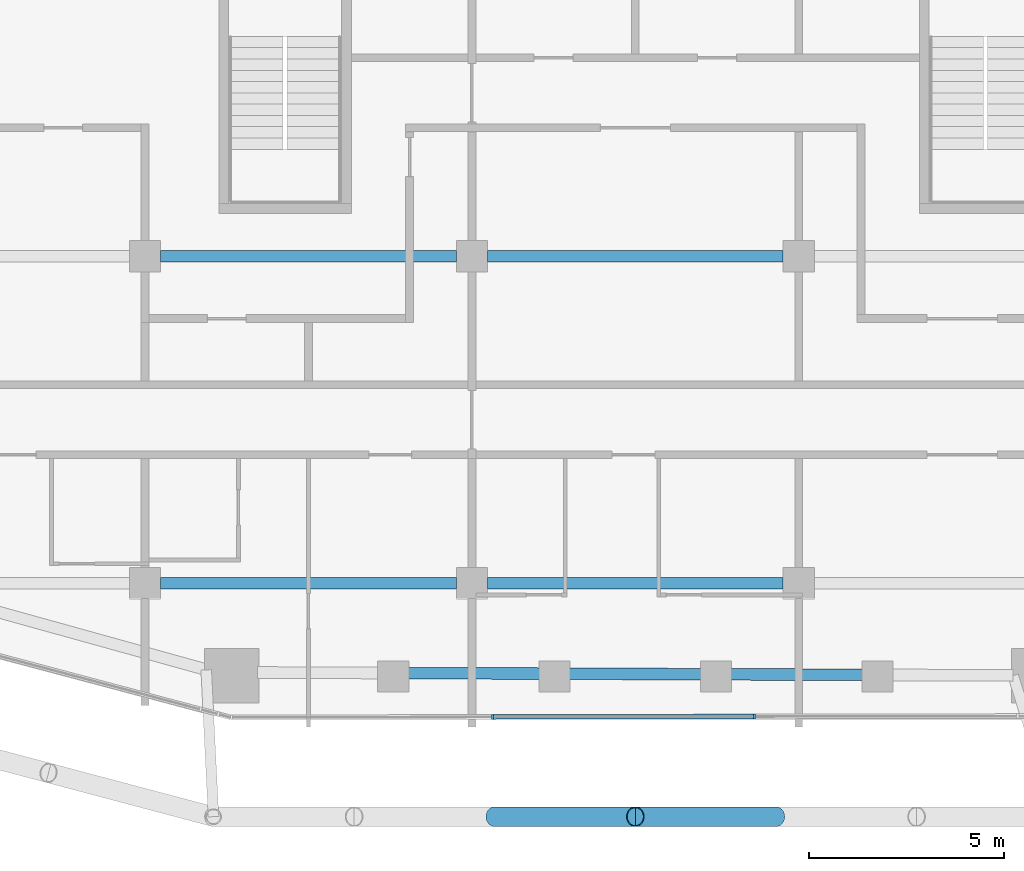
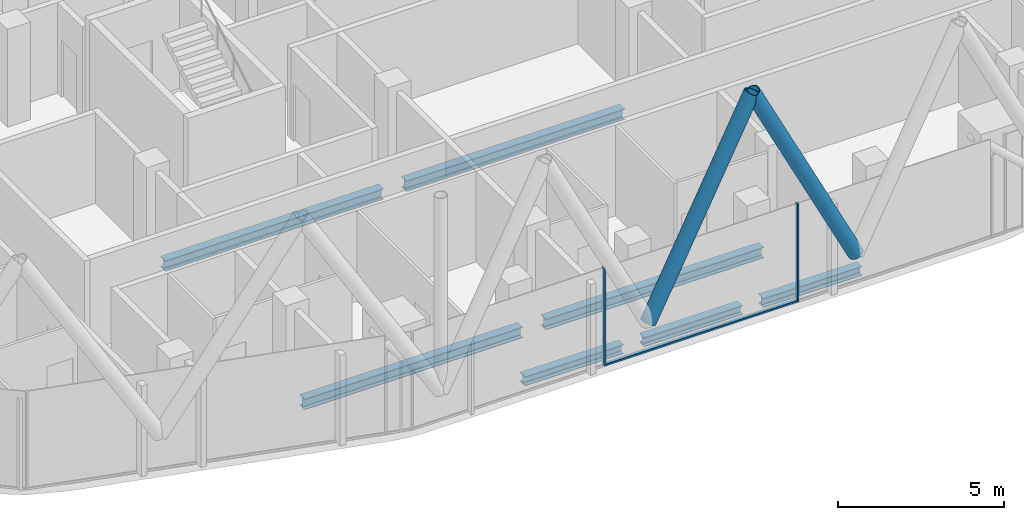
# One storey, part 3 of 28: 7 beams, 5 members, 1 element without a shape of its own.
"""IFC4 building model written with IfcOpenShell, lengths in metres."""

from ifc_helpers import new_model, si_unit, direction, frame, origin, origin_2d, place, context, subcontext, project, spatial, rectangle, hollow_circle, i_section, extrude, material, layer, layer_set, material_profile, profile_set, type_object, element, aggregate, save


model = new_model("IFC4")

# Units and contexts
model_context = context("Model", 3, precision=1e-05, world=origin(), true_north=direction((0.0, 1.0)))
body_context = subcontext(model_context, "Body", "Model", "MODEL_VIEW")
ifc_project = project(units=[si_unit("LENGTHUNIT", "METRE"), si_unit("AREAUNIT", "SQUARE_METRE"), si_unit("VOLUMEUNIT", "CUBIC_METRE"), si_unit("PLANEANGLEUNIT", "RADIAN"), si_unit("MASSUNIT", "GRAM", prefix="KILO")], contexts=[model_context])

# Site, building, storey
site_placement = place(None, origin())
site = spatial("IfcSite", under=ifc_project, at=site_placement, CompositionType="ELEMENT")
building_placement = place(site_placement, origin())
building = spatial("IfcBuilding", under=site, at=building_placement, Name="Marenta Gate Hotel Tower", CompositionType="ELEMENT")
storey_placement = place(building_placement, frame((0.0, 0.0, 241.699951171875)))
storey = spatial("IfcBuildingStorey", under=building, at=storey_placement, Name="L57", CompositionType="ELEMENT", Elevation=241.699951171875)

# Members
ifc_material_1 = material(Name="Steel S355J2W", Category="steel")
ifc_material_profile_1 = material_profile(ifc_material_1, hollow_circle(Radius=0.25390625, WallThickness=0.02490234375, at=origin_2d()), Name="CHS 508x25")
ifc_profile_set_1 = profile_set([ifc_material_profile_1], Name="Steel S355J2W")
member_type_1 = type_object("IfcMemberType", Name="Diagrid diagonal Z3 CHS 508x25", PredefinedType="BRACE", material=ifc_profile_set_1)
for number, where, z_axis, x_axis, name in (
    (1, (3.613037109375, -31.199951171875, 3.14013671875), (-0.44851025603, 0.0, 0.893777685018), (0.0, -1.0, 0.0), "L57-DG-17"),
    (2, (-3.613037109375, -31.199951171875, 3.14013671875), (0.44851025603, 0.0, 0.893777685018), (0.0, 1.0, 0.0), "L57-DG-18"),
):
    element("IfcMember", number, at=place(storey_placement, frame(where, z_axis=z_axis, x_axis=x_axis)), inside=storey, type_object=member_type_1, Name=name, PredefinedType="BRACE", context=body_context, shape_type="SweptSolid", body=[
        extrude(hollow_circle(Radius=0.25390625, WallThickness=0.02490234375, at=origin_2d()), origin(), (0.0, 0.0, 1.0), 8.0556640625),
    ])

# Beams
ifc_material_2 = material(Name="Steel S355", Category="steel")
ifc_material_profile_2 = material_profile(ifc_material_2, i_section(OverallWidth=0.300048828125, OverallDepth=0.340087890625, WebThickness=0.011962890625, FlangeThickness=0.021484375, FilletRadius=0.027099609375, at=origin_2d()), Name="HEB 340")
ifc_profile_set_2 = profile_set([ifc_material_profile_2], Name="Steel S355")
beam_type_1 = type_object("IfcBeamType", Name="Edge beam HEB 340", PredefinedType="SPANDREL", material=ifc_profile_set_2)
for number, where, z_axis, x_axis, name in (
    (3, (5.860107421875, -27.555419921875, -0.429931640625), (-0.999992599416, 0.003847221457, 0.0), (-0.003847221457, -0.999992599416, 0.0), "L57-EB-33"),
    (4, (1.71337890625, -27.539306640625, -0.429931640625), (-0.999992599416, 0.003847221457, 0.0), (-0.003847221457, -0.999992599416, 0.0), "L57-EB-34"),
    (5, (-2.433349609375, -27.5234375, -0.429931640625), (-0.999992599416, 0.003847221457, 0.0), (-0.003847221457, -0.999992599416, 0.0), "L57-EB-35"),
):
    element("IfcBeam", number, at=place(storey_placement, frame(where, z_axis=z_axis, x_axis=x_axis)), inside=storey, type_object=beam_type_1, Name=name, PredefinedType="SPANDREL", context=body_context, shape_type="SweptSolid", body=[
        extrude(i_section(OverallWidth=0.300048828125, OverallDepth=0.340087890625, WebThickness=0.011962890625, FlangeThickness=0.021484375, FilletRadius=0.027099609375, at=origin_2d()), origin(), (0.0, 0.0, 1.0), 3.4267578125),
    ])
ifc_material_3 = material(Name="Steel S355", Category="steel")
ifc_material_profile_3 = material_profile(ifc_material_3, i_section(OverallWidth=0.300048828125, OverallDepth=0.39990234375, WebThickness=0.013427734375, FlangeThickness=0.02392578125, FilletRadius=0.027099609375, at=origin_2d()), Name="HEB 400")
ifc_profile_set_3 = profile_set([ifc_material_profile_3], Name="Steel S355")
beam_type_2 = type_object("IfcBeamType", Name="Girder HEB 400", PredefinedType="BEAM", material=ifc_profile_set_3)
beam_1_placement = place(storey_placement, frame((-12.199951171875, -25.199951171875, -0.4599609375), z_axis=(1.0, 0.0, 0.0), x_axis=(0.0, 1.0, 0.0)))
element("IfcBeam", 6, at=beam_1_placement, inside=storey, type_object=beam_type_2, Name="L57-GD-2", PredefinedType="BEAM", context=body_context, shape_type="SweptSolid", body=[
    extrude(i_section(OverallWidth=0.300048828125, OverallDepth=0.39990234375, WebThickness=0.013427734375, FlangeThickness=0.02392578125, FilletRadius=0.027099609375, at=origin_2d()), origin(), (0.0, 0.0, 1.0), 7.599853515625),
])
beam_2_placement = place(storey_placement, frame((-3.800048828125, -25.199951171875, -0.4599609375), z_axis=(1.0, 0.0, 0.0), x_axis=(0.0, 1.0, 0.0)))
element("IfcBeam", 7, at=beam_2_placement, inside=storey, type_object=beam_type_2, Name="L57-GD-3", PredefinedType="BEAM", context=body_context, shape_type="SweptSolid", body=[
    extrude(i_section(OverallWidth=0.300048828125, OverallDepth=0.39990234375, WebThickness=0.013427734375, FlangeThickness=0.02392578125, FilletRadius=0.027099609375, at=origin_2d()), origin(), (0.0, 0.0, 1.0), 7.60009765625),
])
beam_3_placement = place(storey_placement, frame((-12.199951171875, -16.800048828125, -0.4599609375), z_axis=(1.0, 0.0, 0.0), x_axis=(0.0, 1.0, 0.0)))
element("IfcBeam", 8, at=beam_3_placement, inside=storey, type_object=beam_type_2, Name="L57-GD-8", PredefinedType="BEAM", context=body_context, shape_type="SweptSolid", body=[
    extrude(i_section(OverallWidth=0.300048828125, OverallDepth=0.39990234375, WebThickness=0.013427734375, FlangeThickness=0.02392578125, FilletRadius=0.027099609375, at=origin_2d()), origin(), (0.0, 0.0, 1.0), 7.599853515625),
])
beam_4_placement = place(storey_placement, frame((-3.800048828125, -16.800048828125, -0.4599609375), z_axis=(1.0, 0.0, 0.0), x_axis=(0.0, 1.0, 0.0)))
element("IfcBeam", 9, at=beam_4_placement, inside=storey, type_object=beam_type_2, Name="L57-GD-9", PredefinedType="BEAM", context=body_context, shape_type="SweptSolid", body=[
    extrude(i_section(OverallWidth=0.300048828125, OverallDepth=0.39990234375, WebThickness=0.013427734375, FlangeThickness=0.02392578125, FilletRadius=0.027099609375, at=origin_2d()), origin(), (0.0, 0.0, 1.0), 7.60009765625),
])

# Curtain wall, members
ifc_material_4 = material(Name="Tinted insulated glass in bronze anodised frame", Category="glass")
ifc_layer = layer(ifc_material_4, 0.1201171875)
ifc_layer_set = layer_set([ifc_layer], Name="Tinted insulated glass in bronze anodised frame")
curtain_wall_type = type_object("IfcCurtainWallType", Name="Tower unitised curtain wall CW1", PredefinedType="NOTDEFINED", material=ifc_layer_set)
curtain_wall_placement = place(storey_placement, origin())
curtain_wall = element("IfcCurtainWall", 10, at=curtain_wall_placement, inside=storey, type_object=curtain_wall_type, Name="CW1 run G12", PredefinedType="NOTDEFINED")
ifc_material_5 = material(Name="Bronze anodised aluminium", Category="aluminium")
ifc_material_profile_4 = material_profile(ifc_material_5, rectangle(XDim=0.1201171875, YDim=0.06005859375, at=origin_2d()), Name="Mullion CW1 60x120 bronze anodised aluminium")
ifc_profile_set_4 = profile_set([ifc_material_profile_4], Name="Bronze anodised aluminium")
member_type_2 = type_object("IfcMemberType", Name="Mullion CW1 60x120 bronze anodised aluminium", PredefinedType="MULLION", material=ifc_profile_set_4)
member_1_placement = place(storey_placement, frame((-3.67236328125, -28.636474609375, 0.0), z_axis=(0.0, 0.0, 1.0), x_axis=(-0.001643488917, 0.999998649471, 0.0)))
member_1 = element("IfcMember", 11, at=member_1_placement, type_object=member_type_2, Name="CW1 mullion 2", PredefinedType="MULLION", context=body_context, shape_type="SweptSolid", body=[
    extrude(rectangle(XDim=0.1201171875, YDim=0.06005859375, at=origin_2d()), origin(), (0.0, 0.0, 1.0), 3.60009765625),
])
member_2_placement = place(storey_placement, frame((3.061279296875, -28.62548828125, 0.0), z_axis=(0.0, 0.0, 1.0), x_axis=(-0.001643488917, 0.999998649471, 0.0)))
member_2 = element("IfcMember", 12, at=member_2_placement, type_object=member_type_2, Name="CW1 mullion 3", PredefinedType="MULLION", context=body_context, shape_type="SweptSolid", body=[
    extrude(rectangle(XDim=0.1201171875, YDim=0.06005859375, at=origin_2d()), origin(), (0.0, 0.0, 1.0), 3.60009765625),
])
ifc_material_6 = material(Name="Bronze anodised aluminium", Category="aluminium")
ifc_material_profile_5 = material_profile(ifc_material_6, rectangle(XDim=0.1201171875, YDim=0.06005859375, at=origin_2d()), Name="Transom CW1 60x120 bronze anodised aluminium")
ifc_profile_set_5 = profile_set([ifc_material_profile_5], Name="Bronze anodised aluminium")
member_type_3 = type_object("IfcMemberType", Name="Transom CW1 60x120 bronze anodised aluminium", PredefinedType="USERDEFINED", material=ifc_profile_set_5)
member_3_placement = place(storey_placement, frame((-3.642333984375, -28.636474609375, 0.030029296875), z_axis=(0.999998644948, 0.001646238852, 0.0), x_axis=(-0.001646238852, 0.999998644948, 0.0)))
member_3 = element("IfcMember", 13, at=member_3_placement, type_object=member_type_3, Name="CW1 transom 2.1", ObjectType="TRANSOM", PredefinedType="USERDEFINED", context=body_context, shape_type="SweptSolid", body=[
    extrude(rectangle(XDim=0.1201171875, YDim=0.06005859375, at=origin_2d()), origin(), (0.0, 0.0, 1.0), 6.673583984375),
])
aggregate(curtain_wall, [member_1, member_2, member_3])

save(model, "model.ifc")
